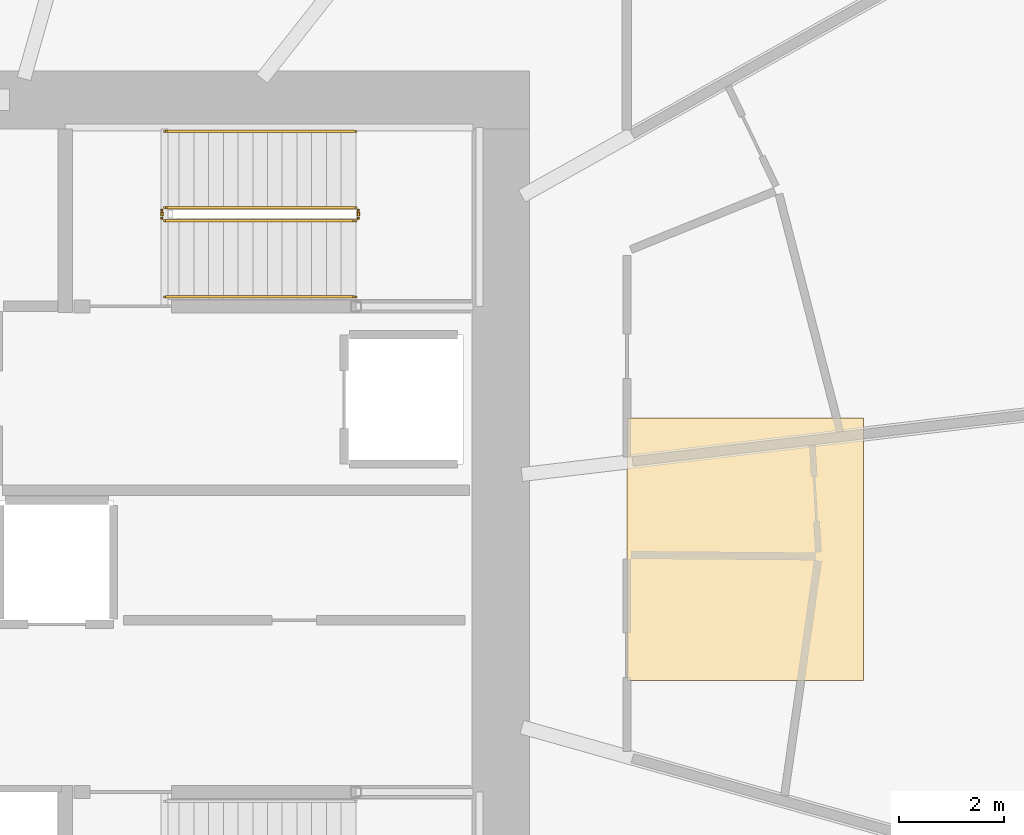
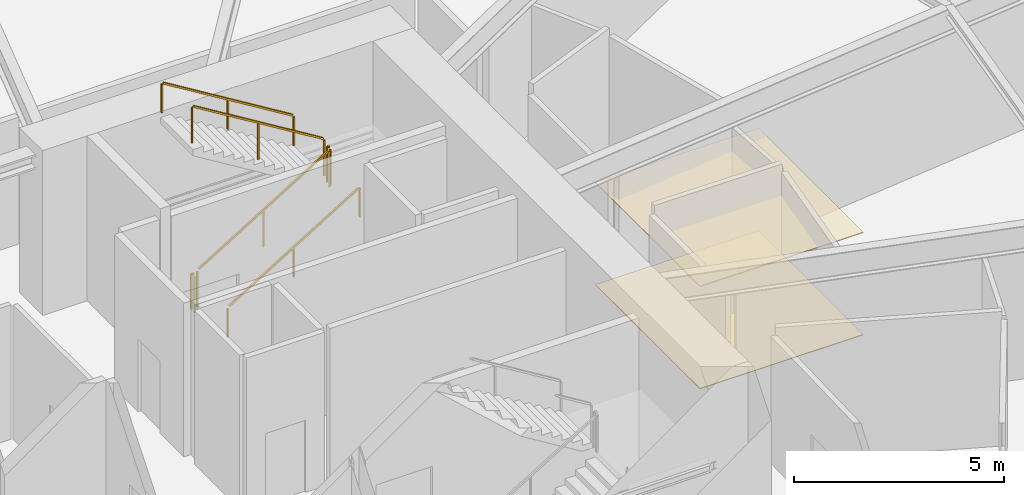
# One storey, part 22 of 22: 6 railings, 2 coverings.
"""IFC4 building model written with IfcOpenShell, lengths in metres."""

from ifc_helpers import new_model, si_unit, direction, frame, origin, origin_2d, place, context, subcontext, project, spatial, polyline, rectangle, outline, extrude, material, layer, layer_set, type_object, element, save


model = new_model("IFC4")

# Units and contexts
model_context = context("Model", 3, precision=1e-05, world=origin(), true_north=direction((0.0, 1.0)))
body_context = subcontext(model_context, "Body", "Model", "MODEL_VIEW")
ifc_project = project(units=[si_unit("LENGTHUNIT", "METRE"), si_unit("AREAUNIT", "SQUARE_METRE"), si_unit("VOLUMEUNIT", "CUBIC_METRE"), si_unit("PLANEANGLEUNIT", "RADIAN"), si_unit("MASSUNIT", "GRAM", prefix="KILO")], contexts=[model_context])

# Site, building, storey
site_placement = place(None, origin())
site = spatial("IfcSite", under=ifc_project, at=site_placement, CompositionType="ELEMENT")
building_placement = place(site_placement, origin())
building = spatial("IfcBuilding", under=site, at=building_placement, Name="Kazma Halo Residences", CompositionType="ELEMENT")
storey_placement = place(building_placement, frame((0.0, 0.0, 7.199951171875)))
storey = spatial("IfcBuildingStorey", under=building, at=storey_placement, Name="L01", CompositionType="ELEMENT", Elevation=7.199951171875)

# Coverings
ifc_material_1 = material(Name="Perforated Gypsum Acoustic Ceiling")
ifc_layer_1 = layer(ifc_material_1, 0.02490234375)
ifc_layer_set_1 = layer_set([ifc_layer_1], Name="Perforated Gypsum Acoustic Ceiling")
covering_type_1 = type_object("IfcCoveringType", Name="COV-CEIL-ACOUSTIC", PredefinedType="CEILING", material=ifc_layer_set_1)
covering_1_placement = place(storey_placement, frame((0.0, 0.0, 2.97509765625)))
element("IfcCovering", 1, at=covering_1_placement, inside=storey, type_object=covering_type_1, Name="L01 amenity acoustic ceiling", PredefinedType="CEILING", context=body_context, shape_type="SweptSolid", body=[
    extrude(outline(polyline([(62.0, 39.5), (66.5, 39.5), (66.5, 44.5), (62.0, 44.5), (62.0, 39.5)])), origin(), (0.0, 0.0, 1.0), 0.02490234375),
])
ifc_material_2 = material(Name="Polished Limestone Terrazzo Flooring", Category="masonry")
ifc_layer_2 = layer(ifc_material_2, 0.02001953125)
ifc_layer_set_2 = layer_set([ifc_layer_2], Name="Polished Limestone Terrazzo Flooring")
covering_type_2 = type_object("IfcCoveringType", Name="COV-FLR-TERRAZZO", PredefinedType="FLOORING", material=ifc_layer_set_2)
covering_2_placement = place(storey_placement, origin())
element("IfcCovering", 2, at=covering_2_placement, inside=storey, type_object=covering_type_2, Name="L01 amenity terrazzo floor finish", PredefinedType="FLOORING", context=body_context, shape_type="SweptSolid", body=[
    extrude(outline(polyline([(62.0, 39.5), (66.5, 39.5), (66.5, 44.5), (62.0, 44.5), (62.0, 39.5)])), origin(), (0.0, 0.0, 1.0), 0.02001953125),
])

# Railings
ifc_material_3 = material(Name="Painted Steel S355", Category="steel")
railing_type_1 = type_object("IfcRailingType", Name="RLG-STAIR-GRD-1100", PredefinedType="GUARDRAIL", material=ifc_material_3)
railing_1_placement = place(storey_placement, frame((53.199951171875, 48.25, 0.17138671875)))
element("IfcRailing", 3, at=railing_1_placement, inside=storey, type_object=railing_type_1, Name="L01 ST-02 stair guard 1", PredefinedType="GUARDRAIL", context=body_context, shape_type="SweptSolid", body=[
    extrude(rectangle(XDim=0.050048828125, YDim=0.050048828125, at=origin_2d()), frame((0.036376953125, 0.0, 1.09716796875), z_axis=(0.852840387347, 0.0, 0.522171689878), x_axis=(0.0, 1.0, 0.0)), (0.0, 0.0, 1.0), 4.18310546875),
    extrude(rectangle(XDim=0.0400390625, YDim=0.0400390625, at=origin_2d()), origin(), (0.0, 0.0, 1.0), 1.0380859375),
    extrude(rectangle(XDim=0.0400390625, YDim=0.0400390625, at=origin_2d()), frame((1.820068359375, 0.0, 1.1142578125)), (0.0, 0.0, 1.0), 1.0380859375),
    extrude(rectangle(XDim=0.0400390625, YDim=0.0400390625, at=origin_2d()), frame((3.64013671875, 0.0, 2.228759765625)), (0.0, 0.0, 1.0), 1.0380859375),
])
railing_2_placement = place(storey_placement, frame((56.889892578125, 48.300048828125, 2.400146484375)))
element("IfcRailing", 4, at=railing_2_placement, inside=storey, type_object=railing_type_1, Name="L01 ST-02 stair guard 2", PredefinedType="GUARDRAIL", context=body_context, shape_type="SweptSolid", body=[
    extrude(rectangle(XDim=0.050048828125, YDim=0.050048828125, at=origin_2d()), frame((0.0, 0.04248046875, 1.0751953125), z_axis=(0.0, 1.0, 0.0), x_axis=(-1.0, 0.0, 0.0)), (0.0, 0.0, 1.0), 0.06494140625),
    extrude(rectangle(XDim=0.0400390625, YDim=0.0400390625, at=origin_2d()), origin(), (0.0, 0.0, 1.0), 1.0380859375),
    extrude(rectangle(XDim=0.0400390625, YDim=0.0400390625, at=origin_2d()), frame((0.0, 0.14990234375, 0.0)), (0.0, 0.0, 1.0), 1.0380859375),
])
railing_3_placement = place(storey_placement, frame((56.840087890625, 48.5, 2.571533203125)))
element("IfcRailing", 5, at=railing_3_placement, inside=storey, type_object=railing_type_1, Name="L01 ST-02 stair guard 3", PredefinedType="GUARDRAIL", context=body_context, shape_type="SweptSolid", body=[
    extrude(rectangle(XDim=0.050048828125, YDim=0.050048828125, at=origin_2d()), frame((-0.036376953125, 0.0, 1.09716796875), z_axis=(-0.852865859571, 0.0, 0.52213008492), x_axis=(0.0, -1.0, 0.0)), (0.0, 0.0, 1.0), 4.18310546875),
    extrude(rectangle(XDim=0.0400390625, YDim=0.0400390625, at=origin_2d()), origin(), (0.0, 0.0, 1.0), 1.0380859375),
    extrude(rectangle(XDim=0.0400390625, YDim=0.0400390625, at=origin_2d()), frame((-1.820068359375, 0.0, 1.1142578125)), (0.0, 0.0, 1.0), 1.0380859375),
    extrude(rectangle(XDim=0.0400390625, YDim=0.0400390625, at=origin_2d()), frame((-3.64013671875, 0.0, 2.228515625)), (0.0, 0.0, 1.0), 1.0380859375),
])
railing_4_placement = place(storey_placement, frame((53.14990234375, 48.300048828125, 0.0)))
element("IfcRailing", 6, at=railing_4_placement, inside=storey, type_object=railing_type_1, Name="L01 ST-02 stair guard 4", PredefinedType="GUARDRAIL", context=body_context, shape_type="SweptSolid", body=[
    extrude(rectangle(XDim=0.050048828125, YDim=0.050048828125, at=origin_2d()), frame((0.0, 0.04248046875, 1.0751953125), z_axis=(0.0, 1.0, 0.0), x_axis=(-1.0, 0.0, 0.0)), (0.0, 0.0, 1.0), 0.06494140625),
    extrude(rectangle(XDim=0.0400390625, YDim=0.0400390625, at=origin_2d()), origin(), (0.0, 0.0, 1.0), 1.0380859375),
    extrude(rectangle(XDim=0.0400390625, YDim=0.0400390625, at=origin_2d()), frame((0.0, 0.14990234375, 0.0)), (0.0, 0.0, 1.0), 1.0380859375),
])
ifc_material_4 = material(Name="Brushed Stainless Steel", Category="steel")
railing_type_2 = type_object("IfcRailingType", Name="RLG-STAIR-HND-900", PredefinedType="HANDRAIL", material=ifc_material_4)
railing_5_placement = place(storey_placement, frame((53.199951171875, 46.800048828125, 0.17138671875)))
element("IfcRailing", 7, at=railing_5_placement, inside=storey, type_object=railing_type_2, Name="L01 ST-02 stair handrail 1", PredefinedType="HANDRAIL", context=body_context, shape_type="SweptSolid", body=[
    extrude(rectangle(XDim=0.050048828125, YDim=0.050048828125, at=origin_2d()), frame((0.036376953125, 0.0, 0.89697265625), z_axis=(0.852840387347, 0.0, 0.522171689878), x_axis=(0.0, 1.0, 0.0)), (0.0, 0.0, 1.0), 4.18310546875),
    extrude(rectangle(XDim=0.0400390625, YDim=0.0400390625, at=origin_2d()), origin(), (0.0, 0.0, 1.0), 0.837890625),
    extrude(rectangle(XDim=0.0400390625, YDim=0.0400390625, at=origin_2d()), frame((1.820068359375, 0.0, 1.1142578125)), (0.0, 0.0, 1.0), 0.837890625),
    extrude(rectangle(XDim=0.0400390625, YDim=0.0400390625, at=origin_2d()), frame((3.64013671875, 0.0, 2.228759765625)), (0.0, 0.0, 1.0), 0.837890625),
])
railing_6_placement = place(storey_placement, frame((56.840087890625, 49.949951171875, 2.571533203125)))
element("IfcRailing", 8, at=railing_6_placement, inside=storey, type_object=railing_type_2, Name="L01 ST-02 stair handrail 2", PredefinedType="HANDRAIL", context=body_context, shape_type="SweptSolid", body=[
    extrude(rectangle(XDim=0.050048828125, YDim=0.050048828125, at=origin_2d()), frame((-0.036376953125, 0.0, 0.89697265625), z_axis=(-0.852865859571, 0.0, 0.52213008492), x_axis=(0.0, -1.0, 0.0)), (0.0, 0.0, 1.0), 4.18310546875),
    extrude(rectangle(XDim=0.0400390625, YDim=0.0400390625, at=origin_2d()), origin(), (0.0, 0.0, 1.0), 0.837890625),
    extrude(rectangle(XDim=0.0400390625, YDim=0.0400390625, at=origin_2d()), frame((-1.820068359375, 0.0, 1.1142578125)), (0.0, 0.0, 1.0), 0.837890625),
    extrude(rectangle(XDim=0.0400390625, YDim=0.0400390625, at=origin_2d()), frame((-3.64013671875, 0.0, 2.228515625)), (0.0, 0.0, 1.0), 0.837890625),
])

save(model, "model.ifc")
